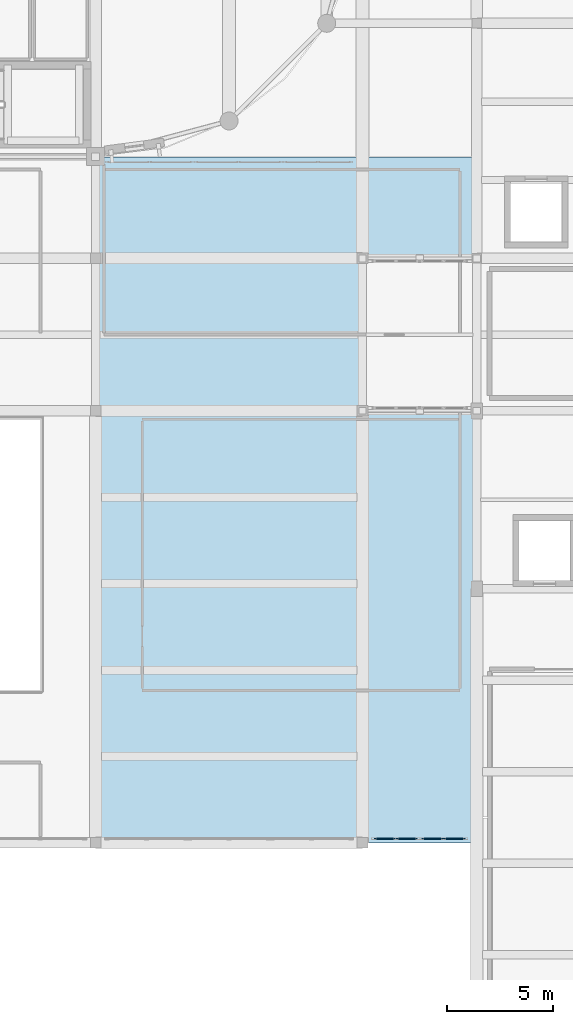
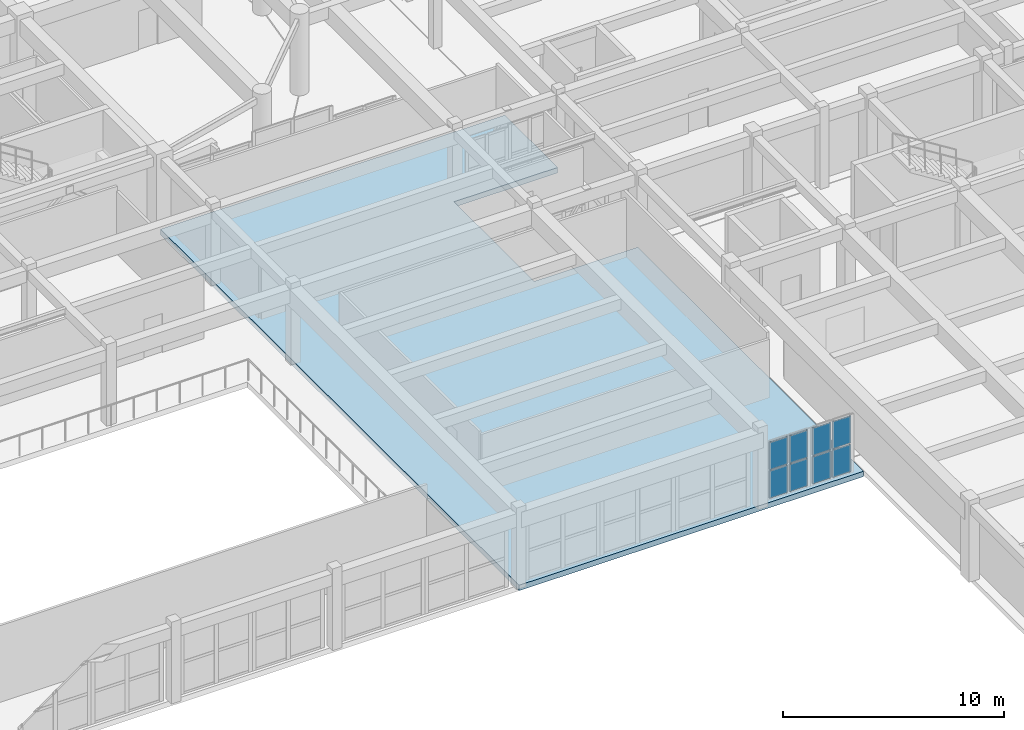
# One storey, part 56 of 92: 8 plates, 1 slab, 2 elements without a shape of their own.
"""IFC4 building model written with IfcOpenShell, lengths in metres."""

from ifc_helpers import new_model, si_unit, direction, frame, origin, origin_2d, place, context, subcontext, project, spatial, polyline, rectangle, outline, extrude, material, layer, layer_set, type_object, element, aggregate, save


model = new_model("IFC4")

# Units and contexts
model_context = context("Model", 3, precision=1e-05, world=origin(), true_north=direction((0.0, 1.0)))
body_context = subcontext(model_context, "Body", "Model", "MODEL_VIEW")
ifc_project = project(units=[si_unit("LENGTHUNIT", "METRE"), si_unit("AREAUNIT", "SQUARE_METRE"), si_unit("VOLUMEUNIT", "CUBIC_METRE"), si_unit("PLANEANGLEUNIT", "RADIAN"), si_unit("MASSUNIT", "GRAM", prefix="KILO")], contexts=[model_context])

# Site, building, storey
site_placement = place(None, origin())
site = spatial("IfcSite", under=ifc_project, at=site_placement, CompositionType="ELEMENT")
building_placement = place(site_placement, origin())
building = spatial("IfcBuilding", under=site, at=building_placement, Name="Tarnavel Promenade Courthouse", CompositionType="ELEMENT")
storey_placement = place(building_placement, frame((0.0, 0.0, 5.39990234375)))
storey = spatial("IfcBuildingStorey", under=building, at=storey_placement, Name="L02", CompositionType="ELEMENT", Elevation=5.39990234375)

# Slab
ifc_material_1 = material(Name="Concrete C40/50", Category="concrete")
ifc_layer_1 = layer(ifc_material_1, 0.300048828125)
ifc_layer_set_1 = layer_set([ifc_layer_1], Name="Concrete C40/50")
slab_type = type_object("IfcSlabType", Name="Concrete C40/50 SLB-STK-300 (300 mm)", PredefinedType="FLOOR", material=ifc_layer_set_1)
slab_placement = place(storey_placement, frame((0.0, 0.0, -0.2998046875)))
element("IfcSlab", 1, at=slab_placement, inside=storey, type_object=slab_type, Name="L02 Winter-Garden East Concourse Slab", PredefinedType="FLOOR", context=body_context, shape_type="SweptSolid", body=[
    extrude(outline(polyline([(102.02001953125, 46.800048828125), (119.97998046875, 46.800048828125), (119.97998046875, 67.179931640625), (114.580078125, 67.179931640625), (114.580078125, 74.419921875), (119.97998046875, 74.419921875), (119.97998046875, 79.179931640625), (102.02001953125, 79.179931640625), (102.02001953125, 46.800048828125)])), origin(), (0.0, 0.0, 1.0), 0.2998046875),
])

# Curtain wall, plates
ifc_material_2 = material(Name="Thermally Broken Anodised Aluminium Curtain Wall System", Category="aluminium")
ifc_layer_2 = layer(ifc_material_2, 0.239990234375)
ifc_layer_set_2 = layer_set([ifc_layer_2], Name="Thermally Broken Anodised Aluminium Curtain Wall System")
curtain_wall_type = type_object("IfcCurtainWallType", Name="Thermally Broken Aluminium Triple-Glazed Curtain Wall CW-WG-S", PredefinedType="NOTDEFINED", material=ifc_layer_set_2)
curtain_wall_1_placement = place(storey_placement, origin())
curtain_wall_1 = element("IfcCurtainWall", 2, at=curtain_wall_1_placement, inside=storey, type_object=curtain_wall_type, Name="L02 Winter-Garden South Solar Curtain Wall 080", PredefinedType="NOTDEFINED")
ifc_material_3 = material(Name="Triple Low-E Argon Insulated Glazing", Category="glass")
ifc_layer_3 = layer(ifc_material_3, 0.053955078125)
ifc_layer_set_3 = layer_set([ifc_layer_3], Name="Triple Low-E Argon Insulated Glazing")
plate_type = type_object("IfcPlateType", Name="Triple Low-E Argon Insulated Glazing Unit CWP-54 (54 mm)", PredefinedType="CURTAIN_PANEL", material=ifc_layer_set_3)
plate_1_placement = place(storey_placement, frame((115.655029296875, 47.0, 0.080078125), z_axis=(0.0, 0.0, 1.0), x_axis=(1.0, 0.0, 0.0)))
plate_1 = element("IfcPlate", 3, at=plate_1_placement, type_object=plate_type, Name="CW-02 panel 1.1", PredefinedType="CURTAIN_PANEL", context=body_context, shape_type="SweptSolid", body=[
    extrude(rectangle(XDim=0.949951171875, YDim=0.053955078125, at=origin_2d()), origin(), (0.0, 0.0, 1.0), 1.4951171875),
])
plate_2_placement = place(storey_placement, frame((115.655029296875, 47.0, 1.655029296875), z_axis=(0.0, 0.0, 1.0), x_axis=(1.0, 0.0, 0.0)))
plate_2 = element("IfcPlate", 4, at=plate_2_placement, type_object=plate_type, Name="CW-02 panel 1.2", PredefinedType="CURTAIN_PANEL", context=body_context, shape_type="SweptSolid", body=[
    extrude(rectangle(XDim=0.949951171875, YDim=0.053955078125, at=origin_2d()), origin(), (0.0, 0.0, 1.0), 1.4951171875),
])
plate_3_placement = place(storey_placement, frame((116.695068359375, 47.0, 0.080078125), z_axis=(0.0, 0.0, 1.0), x_axis=(1.0, 0.0, 0.0)))
plate_3 = element("IfcPlate", 5, at=plate_3_placement, type_object=plate_type, Name="CW-02 panel 2.1", PredefinedType="CURTAIN_PANEL", context=body_context, shape_type="SweptSolid", body=[
    extrude(rectangle(XDim=0.949951171875, YDim=0.053955078125, at=origin_2d()), origin(), (0.0, 0.0, 1.0), 1.4951171875),
])
plate_4_placement = place(storey_placement, frame((116.695068359375, 47.0, 1.655029296875), z_axis=(0.0, 0.0, 1.0), x_axis=(1.0, 0.0, 0.0)))
plate_4 = element("IfcPlate", 6, at=plate_4_placement, type_object=plate_type, Name="CW-02 panel 2.2", PredefinedType="CURTAIN_PANEL", context=body_context, shape_type="SweptSolid", body=[
    extrude(rectangle(XDim=0.949951171875, YDim=0.053955078125, at=origin_2d()), origin(), (0.0, 0.0, 1.0), 1.4951171875),
])
aggregate(curtain_wall_1, [plate_1, plate_2, plate_3, plate_4])

curtain_wall_2_placement = place(storey_placement, origin())
curtain_wall_2 = element("IfcCurtainWall", 7, at=curtain_wall_2_placement, inside=storey, type_object=curtain_wall_type, Name="L02 Winter-Garden South Solar Curtain Wall 081", PredefinedType="NOTDEFINED")
plate_5_placement = place(storey_placement, frame((117.905029296875, 47.0, 0.080078125), z_axis=(0.0, 0.0, 1.0), x_axis=(1.0, 0.0, 0.0)))
plate_5 = element("IfcPlate", 8, at=plate_5_placement, type_object=plate_type, Name="CW-02 panel 1.1", PredefinedType="CURTAIN_PANEL", context=body_context, shape_type="SweptSolid", body=[
    extrude(rectangle(XDim=0.949951171875, YDim=0.053955078125, at=origin_2d()), origin(), (0.0, 0.0, 1.0), 1.4951171875),
])
plate_6_placement = place(storey_placement, frame((117.905029296875, 47.0, 1.655029296875), z_axis=(0.0, 0.0, 1.0), x_axis=(1.0, 0.0, 0.0)))
plate_6 = element("IfcPlate", 9, at=plate_6_placement, type_object=plate_type, Name="CW-02 panel 1.2", PredefinedType="CURTAIN_PANEL", context=body_context, shape_type="SweptSolid", body=[
    extrude(rectangle(XDim=0.949951171875, YDim=0.053955078125, at=origin_2d()), origin(), (0.0, 0.0, 1.0), 1.4951171875),
])
plate_7_placement = place(storey_placement, frame((118.945068359375, 47.0, 0.080078125), z_axis=(0.0, 0.0, 1.0), x_axis=(1.0, 0.0, 0.0)))
plate_7 = element("IfcPlate", 10, at=plate_7_placement, type_object=plate_type, Name="CW-02 panel 2.1", PredefinedType="CURTAIN_PANEL", context=body_context, shape_type="SweptSolid", body=[
    extrude(rectangle(XDim=0.949951171875, YDim=0.053955078125, at=origin_2d()), origin(), (0.0, 0.0, 1.0), 1.4951171875),
])
plate_8_placement = place(storey_placement, frame((118.945068359375, 47.0, 1.655029296875), z_axis=(0.0, 0.0, 1.0), x_axis=(1.0, 0.0, 0.0)))
plate_8 = element("IfcPlate", 11, at=plate_8_placement, type_object=plate_type, Name="CW-02 panel 2.2", PredefinedType="CURTAIN_PANEL", context=body_context, shape_type="SweptSolid", body=[
    extrude(rectangle(XDim=0.949951171875, YDim=0.053955078125, at=origin_2d()), origin(), (0.0, 0.0, 1.0), 1.4951171875),
])
aggregate(curtain_wall_2, [plate_5, plate_6, plate_7, plate_8])

save(model, "model.ifc")
